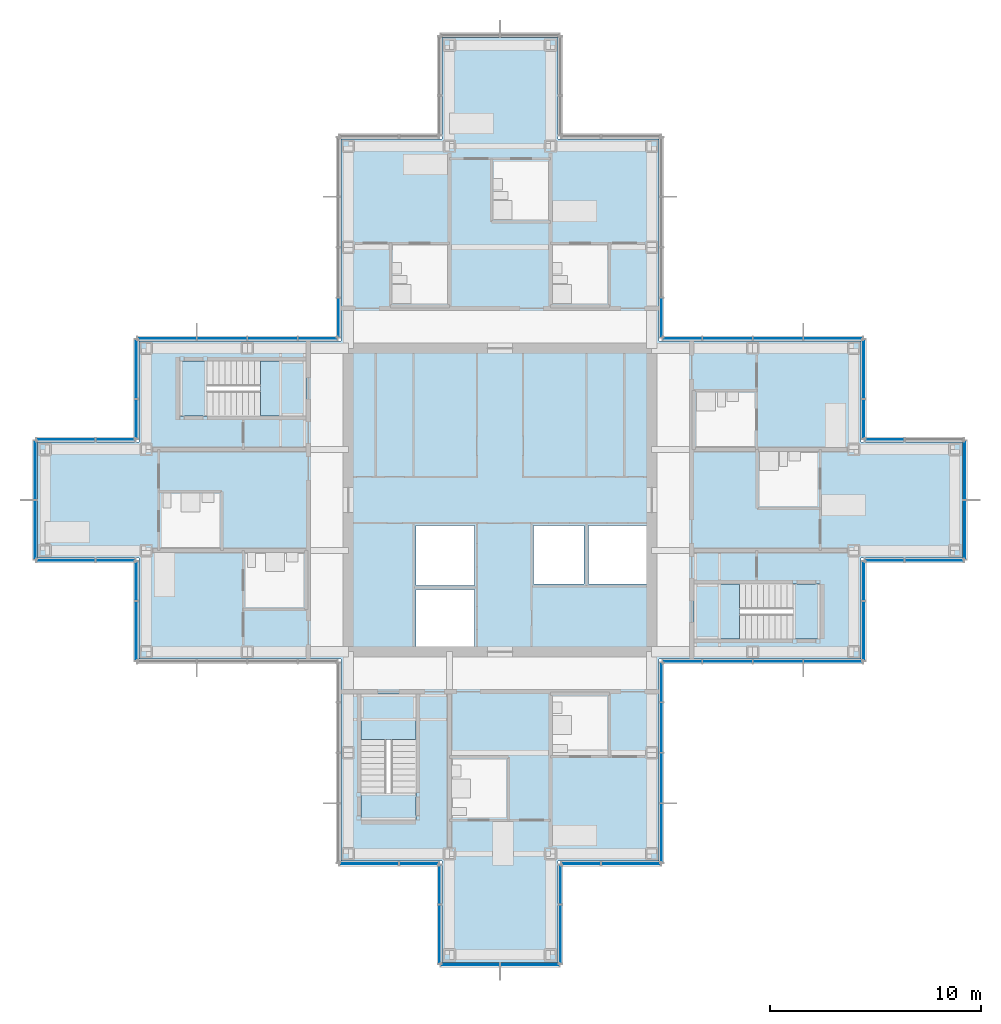
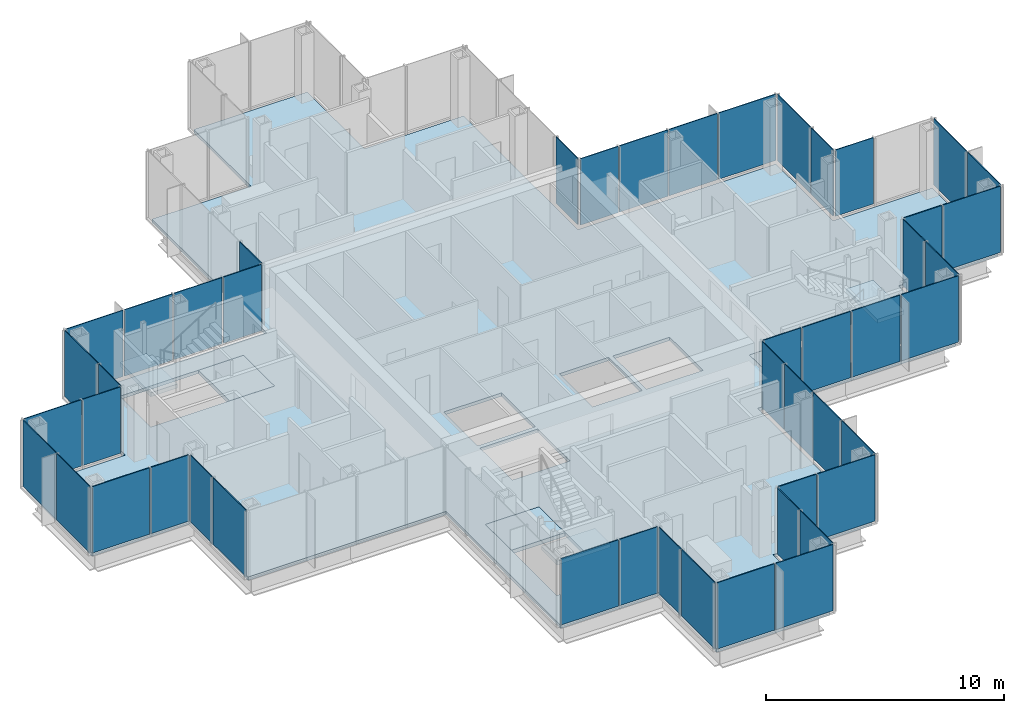
# One storey, part 10 of 17: 47 plates, 7 slabs, 24 elements without a shape of their own.
"""IFC4 building model written with IfcOpenShell, lengths in metres."""

import ifcopenshell
import ifcopenshell.guid

model = None  # the IFC model being written
_history = None  # IfcOwnerHistory: only IFC2X3 demands one
_inside = {}  # id of a spatial element -> (the spatial element, [elements in it])
_under = {}  # id of a project, library or spatial element -> (it, [spatial elements below it])
_declared = {}  # id of a project -> (the project, [libraries it declares])
_typed = {}  # id of a type object -> (the type object, [elements of that type])
_made_of = {}  # id of a material, layer set ... -> (it, [elements and type objects made of it])


def new_model(schema):
    """Start an empty IFC model of exactly this schema.

    Asked for "IFC4X3", IfcOpenShell would pick the latest addendum, in which some entities
    have other attributes; the version numbers below select the first issue.
    IFC2X3 requires an IfcOwnerHistory on every rooted entity: one is made here for all.
    """
    global model, _history
    if schema == "IFC4X3":
        model = ifcopenshell.file(schema_version=(4, 3, 0, 0))
    else:
        model = ifcopenshell.file(schema=schema)
    _inside.clear()
    _under.clear()
    _declared.clear()
    _typed.clear()
    _made_of.clear()
    _history = None
    if model.schema == "IFC2X3":
        org = make("IfcOrganization", Name="unknown")
        user = make(
            "IfcPersonAndOrganization",
            ThePerson=make("IfcPerson", FamilyName="unknown"),
            TheOrganization=org,
        )
        app = make(
            "IfcApplication",
            ApplicationDeveloper=org,
            Version="unknown",
            ApplicationFullName="unknown",
            ApplicationIdentifier="unknown",
        )
        _history = make(
            "IfcOwnerHistory",
            OwningUser=user,
            OwningApplication=app,
            ChangeAction="ADDED",
            CreationDate=0,
        )
    return model


def make(cls, **values):
    """One entity of the class cls with the attributes given. An attribute that is None is left unset."""
    return model.create_entity(
        cls, **{name: value for name, value in values.items() if value is not None}
    )


def rooted(cls, **values):
    """An entity with a GlobalId (a new one), such as an element, a storey or a relation."""
    return make(cls, GlobalId=ifcopenshell.guid.new(), OwnerHistory=_history, **values)


def si_unit(unit_type, name, prefix=None):
    """IfcSIUnit, for example si_unit("LENGTHUNIT", "METRE", prefix="MILLI")."""
    return make("IfcSIUnit", UnitType=unit_type, Prefix=prefix, Name=name)


def assignment(units):
    """IfcUnitAssignment: the units of a project."""
    return None if units is None else make("IfcUnitAssignment", Units=units)


def point(xyz):
    """IfcCartesianPoint."""
    return None if xyz is None else make("IfcCartesianPoint", Coordinates=xyz)


def direction(xyz):
    """IfcDirection."""
    return None if xyz is None else make("IfcDirection", DirectionRatios=xyz)


def frame(location, z_axis=None, x_axis=None):
    """IfcAxis2Placement3D, a coordinate frame: its origin and axes. An axis left out is left unset."""
    return make(
        "IfcAxis2Placement3D",
        Location=point(location),
        Axis=direction(z_axis),
        RefDirection=direction(x_axis),
    )


def frame_2d(location, x_axis=None):
    """IfcAxis2Placement2D, a coordinate frame in the plane: its origin and x axis."""
    return make(
        "IfcAxis2Placement2D", Location=point(location), RefDirection=direction(x_axis)
    )


def origin():
    """The frame at (0, 0, 0) with its axes left unset."""
    return frame((0.0, 0.0, 0.0))


def origin_2d():
    """The frame at (0, 0) in the plane with its x axis left unset."""
    return frame_2d((0.0, 0.0))


def place(relative_to, where):
    """IfcLocalPlacement: puts the frame where relative to a parent placement (None: the world)."""
    return make(
        "IfcLocalPlacement", PlacementRelTo=relative_to, RelativePlacement=where
    )


def context(
    kind, dimensions, precision=None, world=None, true_north=None, identifier=None
):
    """IfcGeometricRepresentationContext, for example the 3D "Model" context."""
    return make(
        "IfcGeometricRepresentationContext",
        ContextIdentifier=identifier,
        ContextType=kind,
        CoordinateSpaceDimension=dimensions,
        Precision=precision,
        WorldCoordinateSystem=world,
        TrueNorth=true_north,
    )


def subcontext(parent, identifier, kind, view, scale=None):
    """IfcGeometricRepresentationSubContext, for example "Body" below "Model"."""
    return make(
        "IfcGeometricRepresentationSubContext",
        ContextIdentifier=identifier,
        ContextType=kind,
        ParentContext=parent,
        TargetScale=scale,
        TargetView=view,
    )


def project(units=None, contexts=None):
    """IfcProject with its units and contexts."""
    return rooted(
        "IfcProject",
        Name="project",
        RepresentationContexts=contexts,
        UnitsInContext=assignment(units),
    )


def spatial(cls, under=None, at=None, **own):
    """A site, building, storey or space (cls), placed at a placement, below another one or the project."""
    s = rooted(cls, ObjectPlacement=at, **own)
    if under is not None:
        _under.setdefault(under.id(), (under, []))[1].append(s)
    return s


def polyline(points):
    """IfcPolyline through the points."""
    return make("IfcPolyline", Points=[point(p) for p in points])


def profile(cls, at=None, kind="AREA", **sizes):
    """A parametric profile (cls). Its sizes go by their IFC names, for example OverallWidth=200.0."""
    return make(cls, ProfileType=kind, Position=at, **sizes)


def rectangle(**sizes):
    """IfcRectangleProfileDef."""
    return profile("IfcRectangleProfileDef", **sizes)


def outline(outer, holes=None, kind="AREA"):
    """IfcArbitraryClosedProfileDef: a profile drawn as a closed curve; with holes, ...WithVoids."""
    if holes is None:
        return make("IfcArbitraryClosedProfileDef", ProfileType=kind, OuterCurve=outer)
    return make(
        "IfcArbitraryProfileDefWithVoids",
        ProfileType=kind,
        OuterCurve=outer,
        InnerCurves=holes,
    )


def extrude(swept, where, along, depth):
    """IfcExtrudedAreaSolid: the profile swept, set in the frame where, extruded along a direction by depth."""
    return make(
        "IfcExtrudedAreaSolid",
        SweptArea=swept,
        Position=where,
        ExtrudedDirection=direction(along),
        Depth=depth,
    )


def shape(context_of_items, identifier, shape_type, items):
    """IfcShapeRepresentation: the items that make up one representation, for example the "Body"."""
    return make(
        "IfcShapeRepresentation",
        ContextOfItems=context_of_items,
        RepresentationIdentifier=identifier,
        RepresentationType=shape_type,
        Items=items,
    )


def material(Name=None, Category=None):
    """IfcMaterial."""
    return make("IfcMaterial", Name=Name, Category=Category)


def layer(
    of_material, thickness, ventilated=None, Name=None, Category=None, Priority=None
):
    """IfcMaterialLayer: one layer of a wall or slab, of a material (None: an air gap)."""
    return make(
        "IfcMaterialLayer",
        Material=of_material,
        LayerThickness=thickness,
        IsVentilated=ventilated,
        Name=Name,
        Category=Category,
        Priority=Priority,
    )


def layer_set(layers, Name=None):
    """IfcMaterialLayerSet."""
    return make("IfcMaterialLayerSet", MaterialLayers=layers, LayerSetName=Name)


def made_of(thing, what):
    """Note that an element or type object is made of a material, layer set ...; save() writes the relation."""
    if what is not None:
        _made_of.setdefault(what.id(), (what, []))[1].append(thing)
    return thing


def type_object(cls, material=None, **own):
    """A type object (cls), such as IfcWallType, which elements share."""
    return made_of(rooted(cls, **own), material)


def element(
    cls,
    number,
    at=None,
    inside=None,
    cuts=None,
    type_object=None,
    material=None,
    context=None,
    identifier="Body",
    shape_type=None,
    held_by="IfcProductDefinitionShape",
    body=None,
    shapes=None,
    **own,
):
    """One element of the class cls, such as IfcWall. Its Tag is "e" and its number.

    at: its placement. inside: the storey or other place that contains it. cuts: it is an
    opening in that element (IfcRelVoidsElement). A single representation is given by context,
    identifier, shape_type and body (its items); several are given by shapes. held_by: the class
    of the entity that holds the representations. save() writes the other relations.
    """
    e = rooted(cls, Tag="e%d" % number, ObjectPlacement=at, **own)
    if body is not None:
        shapes = [shape(context, identifier, shape_type, body)]
    if shapes is not None:
        e.Representation = make(held_by, Representations=shapes)
    if inside is not None:
        _inside.setdefault(inside.id(), (inside, []))[1].append(e)
    if cuts is not None:
        rooted(
            "IfcRelVoidsElement", RelatingBuildingElement=cuts, RelatedOpeningElement=e
        )
    if type_object is not None:
        _typed.setdefault(type_object.id(), (type_object, []))[1].append(e)
    return made_of(e, material)


def aggregate(whole, parts):
    """IfcRelAggregates: a whole, such as a stair, and the parts it consists of."""
    return rooted("IfcRelAggregates", RelatingObject=whole, RelatedObjects=parts)


def save(model, path):
    """Write the relations noted so far, then the file.

    IfcRelAggregates (storeys below a building ...), IfcRelContainedInSpatialStructure (elements
    in a storey), IfcRelDefinesByType, IfcRelAssociatesMaterial and IfcRelDeclares: one each for
    every whole, place, type object, material and project.
    """
    for whole, parts in _under.values():
        aggregate(whole, parts)
    for where, things in _inside.values():
        rooted(
            "IfcRelContainedInSpatialStructure",
            RelatedElements=things,
            RelatingStructure=where,
        )
    for kind, things in _typed.values():
        rooted("IfcRelDefinesByType", RelatedObjects=things, RelatingType=kind)
    for what, things in _made_of.values():
        rooted("IfcRelAssociatesMaterial", RelatedObjects=things, RelatingMaterial=what)
    for by, libraries in _declared.values():
        rooted("IfcRelDeclares", RelatingContext=by, RelatedDefinitions=libraries)
    model.write(path)


model = new_model("IFC4")

# Units and contexts
model_context = context("Model", 3, precision=1e-05, world=origin(), true_north=direction((0.0, 1.0)))
body_context = subcontext(model_context, "Body", "Model", "MODEL_VIEW")
ifc_project = project(units=[si_unit("LENGTHUNIT", "METRE"), si_unit("AREAUNIT", "SQUARE_METRE"), si_unit("VOLUMEUNIT", "CUBIC_METRE"), si_unit("PLANEANGLEUNIT", "RADIAN"), si_unit("MASSUNIT", "GRAM", prefix="KILO")], contexts=[model_context])

# Site, building, storey
site_placement = place(None, origin())
site = spatial("IfcSite", under=ifc_project, at=site_placement, CompositionType="ELEMENT")
building_placement = place(site_placement, origin())
building = spatial("IfcBuilding", under=site, at=building_placement, Name="Kvirike Care Tower", CompositionType="ELEMENT")
storey_placement = place(building_placement, frame((0.0, 0.0, 176.0)))
storey = spatial("IfcBuildingStorey", under=building, at=storey_placement, Name="L48", CompositionType="ELEMENT", Elevation=176.0)

# Slab
ifc_material_1 = material(Name="Concrete C35/45", Category="concrete")
ifc_layer_1 = layer(ifc_material_1, 0.169921875)
ifc_layer_set_1 = layer_set([ifc_layer_1], Name="FLOOR SLAB 170")
slab_type_1 = type_object("IfcSlabType", Name="FLOOR SLAB 170", PredefinedType="FLOOR", material=ifc_layer_set_1)
slab_1_placement = place(storey_placement, frame((0.0, 0.0, -0.169921875)))
element("IfcSlab", 1, at=slab_1_placement, inside=storey, type_object=slab_type_1, Name="Floor slab L48", PredefinedType="FLOOR", context=body_context, shape_type="SweptSolid", body=[
    extrude(outline(polyline([(29.14990234375, 28.449951171875), (38.75, 28.449951171875), (38.75, 33.25), (43.550048828125, 33.25), (43.550048828125, 38.75), (38.75, 38.75), (38.75, 43.550048828125), (29.14990234375, 43.550048828125), (29.14990234375, 53.14990234375), (24.35009765625, 53.14990234375), (24.35009765625, 57.949951171875), (18.85009765625, 57.949951171875), (18.85009765625, 53.14990234375), (14.050048828125, 53.14990234375), (14.050048828125, 43.550048828125), (4.449951171875, 43.550048828125), (4.449951171875, 38.75), (-0.35009765625, 38.75), (-0.35009765625, 33.25), (4.449951171875, 33.25), (4.449951171875, 28.449951171875), (14.050048828125, 28.449951171875), (14.050048828125, 18.85009765625), (18.85009765625, 18.85009765625), (18.85009765625, 14.050048828125), (24.35009765625, 14.050048828125), (24.35009765625, 18.85009765625), (29.14990234375, 18.85009765625), (29.14990234375, 28.449951171875)]), holes=[polyline([(17.60009765625, 29.050048828125), (17.60009765625, 31.75), (20.39990234375, 31.75), (20.39990234375, 29.050048828125), (17.60009765625, 29.050048828125)]), polyline([(17.60009765625, 31.949951171875), (17.60009765625, 34.800048828125), (20.39990234375, 34.800048828125), (20.39990234375, 31.949951171875), (17.60009765625, 31.949951171875)]), polyline([(23.199951171875, 32.0), (23.199951171875, 34.800048828125), (25.60009765625, 34.800048828125), (25.60009765625, 32.0), (23.199951171875, 32.0)]), polyline([(25.800048828125, 32.0), (25.800048828125, 34.800048828125), (28.550048828125, 34.800048828125), (28.550048828125, 32.0), (25.800048828125, 32.0)]), polyline([(12.39990234375, 42.60009765625), (12.39990234375, 40.0), (6.39990234375, 40.0), (6.39990234375, 42.60009765625), (12.39990234375, 42.60009765625)]), polyline([(30.800048828125, 29.39990234375), (30.800048828125, 32.0), (36.800048828125, 32.0), (36.800048828125, 29.39990234375), (30.800048828125, 29.39990234375)]), polyline([(15.0, 26.800048828125), (17.60009765625, 26.800048828125), (17.60009765625, 20.800048828125), (15.0, 20.800048828125), (15.0, 26.800048828125)])]), origin(), (0.0, 0.0, 1.0), 0.169921875),
])

# Stair, slabs
ifc_material_2 = material(Name="Concrete C35/45", Category="concrete")
stair_type = type_object("IfcStairType", Name="STAIR 20 RISERS", PredefinedType="HALF_TURN_STAIR", material=ifc_material_2)
stair_1_placement = place(storey_placement, origin())
stair_1 = element("IfcStair", 2, at=stair_1_placement, inside=storey, type_object=stair_type, Name="Stair 1 L48", PredefinedType="HALF_TURN_STAIR")
ifc_material_3 = material(Name="Concrete C35/45", Category="concrete")
ifc_layer_2 = layer(ifc_material_3, 0.199951171875)
ifc_layer_set_2 = layer_set([ifc_layer_2], Name="STAIR LANDING 200")
slab_type_2 = type_object("IfcSlabType", Name="STAIR LANDING 200", PredefinedType="LANDING", material=ifc_layer_set_2)
slab_2_placement = place(storey_placement, frame((0.0, 0.0, -0.199951171875)))
slab_2 = element("IfcSlab", 3, at=slab_2_placement, type_object=slab_type_2, Name="Stair S1 floor landing L48", PredefinedType="LANDING", context=body_context, shape_type="SweptSolid", body=[
    extrude(outline(polyline([(10.219970703125, 42.60009765625), (10.219970703125, 40.0), (12.39990234375, 40.0), (12.39990234375, 42.60009765625), (10.219970703125, 42.60009765625)])), origin(), (0.0, 0.0, 1.0), 0.199951171875),
])
slab_3_placement = place(storey_placement, frame((0.0, 0.0, 1.550048828125)))
slab_3 = element("IfcSlab", 4, at=slab_3_placement, type_object=slab_type_2, Name="Stair S1 half landing L48-L49", PredefinedType="LANDING", context=body_context, shape_type="SweptSolid", body=[
    extrude(outline(polyline([(6.39990234375, 42.60009765625), (6.39990234375, 40.0), (7.699951171875, 40.0), (7.699951171875, 42.60009765625), (6.39990234375, 42.60009765625)])), origin(), (0.0, 0.0, 1.0), 0.199951171875),
])
aggregate(stair_1, [slab_2, slab_3])

stair_2_placement = place(storey_placement, origin())
stair_2 = element("IfcStair", 5, at=stair_2_placement, inside=storey, type_object=stair_type, Name="Stair 2 L48", PredefinedType="HALF_TURN_STAIR")
slab_4_placement = place(storey_placement, frame((0.0, 0.0, -0.199951171875)))
slab_4 = element("IfcSlab", 6, at=slab_4_placement, type_object=slab_type_2, Name="Stair S2 floor landing L48", PredefinedType="LANDING", context=body_context, shape_type="SweptSolid", body=[
    extrude(outline(polyline([(32.97998046875, 29.39990234375), (32.97998046875, 32.0), (30.800048828125, 32.0), (30.800048828125, 29.39990234375), (32.97998046875, 29.39990234375)])), origin(), (0.0, 0.0, 1.0), 0.199951171875),
])
slab_5_placement = place(storey_placement, frame((0.0, 0.0, 1.550048828125)))
slab_5 = element("IfcSlab", 7, at=slab_5_placement, type_object=slab_type_2, Name="Stair S2 half landing L48-L49", PredefinedType="LANDING", context=body_context, shape_type="SweptSolid", body=[
    extrude(outline(polyline([(36.800048828125, 29.39990234375), (36.800048828125, 32.0), (35.5, 32.0), (35.5, 29.39990234375), (36.800048828125, 29.39990234375)])), origin(), (0.0, 0.0, 1.0), 0.199951171875),
])
aggregate(stair_2, [slab_4, slab_5])

stair_3_placement = place(storey_placement, origin())
stair_3 = element("IfcStair", 8, at=stair_3_placement, inside=storey, type_object=stair_type, Name="Stair 5 L48", PredefinedType="HALF_TURN_STAIR")
slab_6_placement = place(storey_placement, frame((0.0, 0.0, -0.199951171875)))
slab_6 = element("IfcSlab", 9, at=slab_6_placement, type_object=slab_type_2, Name="Stair S5 floor landing L48", PredefinedType="LANDING", context=body_context, shape_type="SweptSolid", body=[
    extrude(outline(polyline([(15.0, 24.6201171875), (17.60009765625, 24.6201171875), (17.60009765625, 26.800048828125), (15.0, 26.800048828125), (15.0, 24.6201171875)])), origin(), (0.0, 0.0, 1.0), 0.199951171875),
])
slab_7_placement = place(storey_placement, frame((0.0, 0.0, 1.550048828125)))
slab_7 = element("IfcSlab", 10, at=slab_7_placement, type_object=slab_type_2, Name="Stair S5 half landing L48-L49", PredefinedType="LANDING", context=body_context, shape_type="SweptSolid", body=[
    extrude(outline(polyline([(15.0, 20.800048828125), (17.60009765625, 20.800048828125), (17.60009765625, 22.10009765625), (15.0, 22.10009765625), (15.0, 20.800048828125)])), origin(), (0.0, 0.0, 1.0), 0.199951171875),
])
aggregate(stair_3, [slab_6, slab_7])

# Curtain wall, plates
ifc_material_4 = material(Name="Anodised aluminium stick system", Category="aluminium")
curtain_wall_type = type_object("IfcCurtainWallType", Name="CW-C STICK CURTAIN WALL", PredefinedType="NOTDEFINED", material=ifc_material_4)
curtain_wall_1_placement = place(storey_placement, origin())
curtain_wall_1 = element("IfcCurtainWall", 11, at=curtain_wall_1_placement, inside=storey, type_object=curtain_wall_type, Name="Curtain wall L48 face 1", PredefinedType="NOTDEFINED")
ifc_material_5 = material(Name="Tinted double glazed unit", Category="glass")
ifc_layer_3 = layer(ifc_material_5, 0.0400390625)
ifc_layer_set_3 = layer_set([ifc_layer_3], Name="TINTED VISION PANEL 40")
plate_type = type_object("IfcPlateType", Name="TINTED VISION PANEL 40", PredefinedType="CURTAIN_PANEL", material=ifc_layer_set_3)
plate_1_placement = place(storey_placement, frame((30.251220703125, 28.330078125, 0.10009765625), z_axis=(0.0, 0.0, 1.0), x_axis=(1.0, 0.0, 0.0)))
plate_1 = element("IfcPlate", 12, at=plate_1_placement, type_object=plate_type, Name="CW-C panel L48 face 1.1", PredefinedType="CURTAIN_PANEL", context=body_context, shape_type="SweptSolid", body=[
    extrude(rectangle(XDim=1.83251953125, YDim=0.0400390625, at=origin_2d()), origin(), (0.0, 0.0, 1.0), 3.39990234375),
])
plate_2_placement = place(storey_placement, frame((32.39990234375, 28.330078125, 0.10009765625), z_axis=(0.0, 0.0, 1.0), x_axis=(1.0, 0.0, 0.0)))
plate_2 = element("IfcPlate", 13, at=plate_2_placement, type_object=plate_type, Name="CW-C panel L48 face 1.2", PredefinedType="CURTAIN_PANEL", context=body_context, shape_type="SweptSolid", body=[
    extrude(rectangle(XDim=2.3349609375, YDim=0.0400390625, at=origin_2d()), origin(), (0.0, 0.0, 1.0), 3.39990234375),
])
plate_3_placement = place(storey_placement, frame((34.800048828125, 28.330078125, 0.10009765625), z_axis=(0.0, 0.0, 1.0), x_axis=(1.0, 0.0, 0.0)))
plate_3 = element("IfcPlate", 14, at=plate_3_placement, type_object=plate_type, Name="CW-C panel L48 face 1.3", PredefinedType="CURTAIN_PANEL", context=body_context, shape_type="SweptSolid", body=[
    extrude(rectangle(XDim=2.3349609375, YDim=0.0400390625, at=origin_2d()), origin(), (0.0, 0.0, 1.0), 3.39990234375),
])
plate_4_placement = place(storey_placement, frame((37.418701171875, 28.330078125, 0.10009765625), z_axis=(0.0, 0.0, 1.0), x_axis=(1.0, 0.0, 0.0)))
plate_4 = element("IfcPlate", 15, at=plate_4_placement, type_object=plate_type, Name="CW-C panel L48 face 1.4", PredefinedType="CURTAIN_PANEL", context=body_context, shape_type="SweptSolid", body=[
    extrude(rectangle(XDim=2.7724609375, YDim=0.0400390625, at=origin_2d()), origin(), (0.0, 0.0, 1.0), 3.39990234375),
])
aggregate(curtain_wall_1, [plate_1, plate_2, plate_3, plate_4])

curtain_wall_2_placement = place(storey_placement, origin())
curtain_wall_2 = element("IfcCurtainWall", 16, at=curtain_wall_2_placement, inside=storey, type_object=curtain_wall_type, Name="Curtain wall L48 face 2", PredefinedType="NOTDEFINED")
plate_5_placement = place(storey_placement, frame((38.8701171875, 29.78125, 0.10009765625), z_axis=(0.0, 0.0, 1.0), x_axis=(0.0, 1.0, 0.0)))
plate_5 = element("IfcPlate", 17, at=plate_5_placement, type_object=plate_type, Name="CW-C panel L48 face 2.1", PredefinedType="CURTAIN_PANEL", context=body_context, shape_type="SweptSolid", body=[
    extrude(rectangle(XDim=2.7724609375, YDim=0.0400390625, at=origin_2d()), origin(), (0.0, 0.0, 1.0), 3.39990234375),
])
plate_6_placement = place(storey_placement, frame((38.8701171875, 32.148681640625, 0.10009765625), z_axis=(0.0, 0.0, 1.0), x_axis=(0.0, 1.0, 0.0)))
plate_6 = element("IfcPlate", 18, at=plate_6_placement, type_object=plate_type, Name="CW-C panel L48 face 2.2", PredefinedType="CURTAIN_PANEL", context=body_context, shape_type="SweptSolid", body=[
    extrude(rectangle(XDim=1.83251953125, YDim=0.0400390625, at=origin_2d()), origin(), (0.0, 0.0, 1.0), 3.39990234375),
])
aggregate(curtain_wall_2, [plate_5, plate_6])

curtain_wall_3_placement = place(storey_placement, origin())
curtain_wall_3 = element("IfcCurtainWall", 19, at=curtain_wall_3_placement, inside=storey, type_object=curtain_wall_type, Name="Curtain wall L48 face 3", PredefinedType="NOTDEFINED")
plate_7_placement = place(storey_placement, frame((39.851318359375, 33.1298828125, 0.10009765625), z_axis=(0.0, 0.0, 1.0), x_axis=(1.0, 0.0, 0.0)))
plate_7 = element("IfcPlate", 20, at=plate_7_placement, type_object=plate_type, Name="CW-C panel L48 face 3.1", PredefinedType="CURTAIN_PANEL", context=body_context, shape_type="SweptSolid", body=[
    extrude(rectangle(XDim=1.83251953125, YDim=0.0400390625, at=origin_2d()), origin(), (0.0, 0.0, 1.0), 3.39990234375),
])
plate_8_placement = place(storey_placement, frame((42.21875, 33.1298828125, 0.10009765625), z_axis=(0.0, 0.0, 1.0), x_axis=(1.0, 0.0, 0.0)))
plate_8 = element("IfcPlate", 21, at=plate_8_placement, type_object=plate_type, Name="CW-C panel L48 face 3.2", PredefinedType="CURTAIN_PANEL", context=body_context, shape_type="SweptSolid", body=[
    extrude(rectangle(XDim=2.7724609375, YDim=0.0400390625, at=origin_2d()), origin(), (0.0, 0.0, 1.0), 3.39990234375),
])
aggregate(curtain_wall_3, [plate_7, plate_8])

curtain_wall_4_placement = place(storey_placement, origin())
curtain_wall_4 = element("IfcCurtainWall", 22, at=curtain_wall_4_placement, inside=storey, type_object=curtain_wall_type, Name="Curtain wall L48 face 4", PredefinedType="NOTDEFINED")
plate_9_placement = place(storey_placement, frame((43.669921875, 34.581298828125, 0.10009765625), z_axis=(0.0, 0.0, 1.0), x_axis=(0.0, 1.0, 0.0)))
plate_9 = element("IfcPlate", 23, at=plate_9_placement, type_object=plate_type, Name="CW-C panel L48 face 4.1", PredefinedType="CURTAIN_PANEL", context=body_context, shape_type="SweptSolid", body=[
    extrude(rectangle(XDim=2.7724609375, YDim=0.0400390625, at=origin_2d()), origin(), (0.0, 0.0, 1.0), 3.39990234375),
])
plate_10_placement = place(storey_placement, frame((43.669921875, 37.418701171875, 0.10009765625), z_axis=(0.0, 0.0, 1.0), x_axis=(0.0, 1.0, 0.0)))
plate_10 = element("IfcPlate", 24, at=plate_10_placement, type_object=plate_type, Name="CW-C panel L48 face 4.2", PredefinedType="CURTAIN_PANEL", context=body_context, shape_type="SweptSolid", body=[
    extrude(rectangle(XDim=2.7724609375, YDim=0.0400390625, at=origin_2d()), origin(), (0.0, 0.0, 1.0), 3.39990234375),
])
aggregate(curtain_wall_4, [plate_9, plate_10])

# Curtain wall, plate
curtain_wall_5_placement = place(storey_placement, origin())
curtain_wall_5 = element("IfcCurtainWall", 25, at=curtain_wall_5_placement, inside=storey, type_object=curtain_wall_type, Name="Curtain wall L48 face 5", PredefinedType="NOTDEFINED")
plate_11_placement = place(storey_placement, frame((39.851318359375, 38.8701171875, 0.10009765625), z_axis=(0.0, 0.0, 1.0), x_axis=(-1.0, 0.0, 0.0)))
plate_11 = element("IfcPlate", 26, at=plate_11_placement, type_object=plate_type, Name="CW-C panel L48 face 5.2", PredefinedType="CURTAIN_PANEL", context=body_context, shape_type="SweptSolid", body=[
    extrude(rectangle(XDim=1.83251953125, YDim=0.0400390625, at=origin_2d()), origin(), (0.0, 0.0, 1.0), 3.39990234375),
])
aggregate(curtain_wall_5, [plate_11])

# Curtain wall, plates
curtain_wall_6_placement = place(storey_placement, origin())
curtain_wall_6 = element("IfcCurtainWall", 27, at=curtain_wall_6_placement, inside=storey, type_object=curtain_wall_type, Name="Curtain wall L48 face 6", PredefinedType="NOTDEFINED")
plate_12_placement = place(storey_placement, frame((38.8701171875, 39.851318359375, 0.10009765625), z_axis=(0.0, 0.0, 1.0), x_axis=(0.0, 1.0, 0.0)))
plate_12 = element("IfcPlate", 28, at=plate_12_placement, type_object=plate_type, Name="CW-C panel L48 face 6.1", PredefinedType="CURTAIN_PANEL", context=body_context, shape_type="SweptSolid", body=[
    extrude(rectangle(XDim=1.83251953125, YDim=0.0400390625, at=origin_2d()), origin(), (0.0, 0.0, 1.0), 3.39990234375),
])
plate_13_placement = place(storey_placement, frame((38.8701171875, 42.21875, 0.10009765625), z_axis=(0.0, 0.0, 1.0), x_axis=(0.0, 1.0, 0.0)))
plate_13 = element("IfcPlate", 29, at=plate_13_placement, type_object=plate_type, Name="CW-C panel L48 face 6.2", PredefinedType="CURTAIN_PANEL", context=body_context, shape_type="SweptSolid", body=[
    extrude(rectangle(XDim=2.7724609375, YDim=0.0400390625, at=origin_2d()), origin(), (0.0, 0.0, 1.0), 3.39990234375),
])
aggregate(curtain_wall_6, [plate_12, plate_13])

curtain_wall_7_placement = place(storey_placement, origin())
curtain_wall_7 = element("IfcCurtainWall", 30, at=curtain_wall_7_placement, inside=storey, type_object=curtain_wall_type, Name="Curtain wall L48 face 7", PredefinedType="NOTDEFINED")
plate_14_placement = place(storey_placement, frame((37.418701171875, 43.669921875, 0.10009765625), z_axis=(0.0, 0.0, 1.0), x_axis=(-1.0, 0.0, 0.0)))
plate_14 = element("IfcPlate", 31, at=plate_14_placement, type_object=plate_type, Name="CW-C panel L48 face 7.1", PredefinedType="CURTAIN_PANEL", context=body_context, shape_type="SweptSolid", body=[
    extrude(rectangle(XDim=2.7724609375, YDim=0.0400390625, at=origin_2d()), origin(), (0.0, 0.0, 1.0), 3.39990234375),
])
plate_15_placement = place(storey_placement, frame((34.800048828125, 43.669921875, 0.10009765625), z_axis=(0.0, 0.0, 1.0), x_axis=(-1.0, 0.0, 0.0)))
plate_15 = element("IfcPlate", 32, at=plate_15_placement, type_object=plate_type, Name="CW-C panel L48 face 7.2", PredefinedType="CURTAIN_PANEL", context=body_context, shape_type="SweptSolid", body=[
    extrude(rectangle(XDim=2.3349609375, YDim=0.0400390625, at=origin_2d()), origin(), (0.0, 0.0, 1.0), 3.39990234375),
])
plate_16_placement = place(storey_placement, frame((32.39990234375, 43.669921875, 0.10009765625), z_axis=(0.0, 0.0, 1.0), x_axis=(-1.0, 0.0, 0.0)))
plate_16 = element("IfcPlate", 33, at=plate_16_placement, type_object=plate_type, Name="CW-C panel L48 face 7.3", PredefinedType="CURTAIN_PANEL", context=body_context, shape_type="SweptSolid", body=[
    extrude(rectangle(XDim=2.3349609375, YDim=0.0400390625, at=origin_2d()), origin(), (0.0, 0.0, 1.0), 3.39990234375),
])
plate_17_placement = place(storey_placement, frame((30.251220703125, 43.669921875, 0.10009765625), z_axis=(0.0, 0.0, 1.0), x_axis=(-1.0, 0.0, 0.0)))
plate_17 = element("IfcPlate", 34, at=plate_17_placement, type_object=plate_type, Name="CW-C panel L48 face 7.4", PredefinedType="CURTAIN_PANEL", context=body_context, shape_type="SweptSolid", body=[
    extrude(rectangle(XDim=1.83251953125, YDim=0.0400390625, at=origin_2d()), origin(), (0.0, 0.0, 1.0), 3.39990234375),
])
aggregate(curtain_wall_7, [plate_14, plate_15, plate_16, plate_17])

# Curtain wall, plate
curtain_wall_8_placement = place(storey_placement, origin())
curtain_wall_8 = element("IfcCurtainWall", 35, at=curtain_wall_8_placement, inside=storey, type_object=curtain_wall_type, Name="Curtain wall L48 face 8", PredefinedType="NOTDEFINED")
plate_18_placement = place(storey_placement, frame((29.27001953125, 44.6513671875, 0.10009765625), z_axis=(0.0, 0.0, 1.0), x_axis=(0.0, 1.0, 0.0)))
plate_18 = element("IfcPlate", 36, at=plate_18_placement, type_object=plate_type, Name="CW-C panel L48 face 8.1", PredefinedType="CURTAIN_PANEL", context=body_context, shape_type="SweptSolid", body=[
    extrude(rectangle(XDim=1.83251953125, YDim=0.0400390625, at=origin_2d()), origin(), (0.0, 0.0, 1.0), 3.39990234375),
])
aggregate(curtain_wall_8, [plate_18])

curtain_wall_9_placement = place(storey_placement, origin())
curtain_wall_9 = element("IfcCurtainWall", 37, at=curtain_wall_9_placement, inside=storey, type_object=curtain_wall_type, Name="Curtain wall L48 face 14", PredefinedType="NOTDEFINED")
plate_19_placement = place(storey_placement, frame((13.929931640625, 44.6513671875, 0.10009765625), z_axis=(0.0, 0.0, 1.0), x_axis=(0.0, -1.0, 0.0)))
plate_19 = element("IfcPlate", 38, at=plate_19_placement, type_object=plate_type, Name="CW-C panel L48 face 14.4", PredefinedType="CURTAIN_PANEL", context=body_context, shape_type="SweptSolid", body=[
    extrude(rectangle(XDim=1.83251953125, YDim=0.0400390625, at=origin_2d()), origin(), (0.0, 0.0, 1.0), 3.39990234375),
])
aggregate(curtain_wall_9, [plate_19])

# Curtain wall, plates
curtain_wall_10_placement = place(storey_placement, origin())
curtain_wall_10 = element("IfcCurtainWall", 39, at=curtain_wall_10_placement, inside=storey, type_object=curtain_wall_type, Name="Curtain wall L48 face 15", PredefinedType="NOTDEFINED")
plate_20_placement = place(storey_placement, frame((12.94873046875, 43.669921875, 0.10009765625), z_axis=(0.0, 0.0, 1.0), x_axis=(-1.0, 0.0, 0.0)))
plate_20 = element("IfcPlate", 40, at=plate_20_placement, type_object=plate_type, Name="CW-C panel L48 face 15.1", PredefinedType="CURTAIN_PANEL", context=body_context, shape_type="SweptSolid", body=[
    extrude(rectangle(XDim=1.83251953125, YDim=0.0400390625, at=origin_2d()), origin(), (0.0, 0.0, 1.0), 3.39990234375),
])
plate_21_placement = place(storey_placement, frame((10.800048828125, 43.669921875, 0.10009765625), z_axis=(0.0, 0.0, 1.0), x_axis=(-1.0, 0.0, 0.0)))
plate_21 = element("IfcPlate", 41, at=plate_21_placement, type_object=plate_type, Name="CW-C panel L48 face 15.2", PredefinedType="CURTAIN_PANEL", context=body_context, shape_type="SweptSolid", body=[
    extrude(rectangle(XDim=2.3349609375, YDim=0.0400390625, at=origin_2d()), origin(), (0.0, 0.0, 1.0), 3.39990234375),
])
plate_22_placement = place(storey_placement, frame((8.39990234375, 43.669921875, 0.10009765625), z_axis=(0.0, 0.0, 1.0), x_axis=(-1.0, 0.0, 0.0)))
plate_22 = element("IfcPlate", 42, at=plate_22_placement, type_object=plate_type, Name="CW-C panel L48 face 15.3", PredefinedType="CURTAIN_PANEL", context=body_context, shape_type="SweptSolid", body=[
    extrude(rectangle(XDim=2.3349609375, YDim=0.0400390625, at=origin_2d()), origin(), (0.0, 0.0, 1.0), 3.39990234375),
])
plate_23_placement = place(storey_placement, frame((5.78125, 43.669921875, 0.10009765625), z_axis=(0.0, 0.0, 1.0), x_axis=(-1.0, 0.0, 0.0)))
plate_23 = element("IfcPlate", 43, at=plate_23_placement, type_object=plate_type, Name="CW-C panel L48 face 15.4", PredefinedType="CURTAIN_PANEL", context=body_context, shape_type="SweptSolid", body=[
    extrude(rectangle(XDim=2.7724609375, YDim=0.0400390625, at=origin_2d()), origin(), (0.0, 0.0, 1.0), 3.39990234375),
])
aggregate(curtain_wall_10, [plate_20, plate_21, plate_22, plate_23])

curtain_wall_11_placement = place(storey_placement, origin())
curtain_wall_11 = element("IfcCurtainWall", 44, at=curtain_wall_11_placement, inside=storey, type_object=curtain_wall_type, Name="Curtain wall L48 face 16", PredefinedType="NOTDEFINED")
plate_24_placement = place(storey_placement, frame((4.330078125, 42.21875, 0.10009765625), z_axis=(0.0, 0.0, 1.0), x_axis=(0.0, -1.0, 0.0)))
plate_24 = element("IfcPlate", 45, at=plate_24_placement, type_object=plate_type, Name="CW-C panel L48 face 16.1", PredefinedType="CURTAIN_PANEL", context=body_context, shape_type="SweptSolid", body=[
    extrude(rectangle(XDim=2.7724609375, YDim=0.0400390625, at=origin_2d()), origin(), (0.0, 0.0, 1.0), 3.39990234375),
])
plate_25_placement = place(storey_placement, frame((4.330078125, 39.851318359375, 0.10009765625), z_axis=(0.0, 0.0, 1.0), x_axis=(0.0, -1.0, 0.0)))
plate_25 = element("IfcPlate", 46, at=plate_25_placement, type_object=plate_type, Name="CW-C panel L48 face 16.2", PredefinedType="CURTAIN_PANEL", context=body_context, shape_type="SweptSolid", body=[
    extrude(rectangle(XDim=1.83251953125, YDim=0.0400390625, at=origin_2d()), origin(), (0.0, 0.0, 1.0), 3.39990234375),
])
aggregate(curtain_wall_11, [plate_24, plate_25])

curtain_wall_12_placement = place(storey_placement, origin())
curtain_wall_12 = element("IfcCurtainWall", 47, at=curtain_wall_12_placement, inside=storey, type_object=curtain_wall_type, Name="Curtain wall L48 face 17", PredefinedType="NOTDEFINED")
plate_26_placement = place(storey_placement, frame((3.3486328125, 38.8701171875, 0.10009765625), z_axis=(0.0, 0.0, 1.0), x_axis=(-1.0, 0.0, 0.0)))
plate_26 = element("IfcPlate", 48, at=plate_26_placement, type_object=plate_type, Name="CW-C panel L48 face 17.1", PredefinedType="CURTAIN_PANEL", context=body_context, shape_type="SweptSolid", body=[
    extrude(rectangle(XDim=1.83251953125, YDim=0.0400390625, at=origin_2d()), origin(), (0.0, 0.0, 1.0), 3.39990234375),
])
plate_27_placement = place(storey_placement, frame((0.981201171875, 38.8701171875, 0.10009765625), z_axis=(0.0, 0.0, 1.0), x_axis=(-1.0, 0.0, 0.0)))
plate_27 = element("IfcPlate", 49, at=plate_27_placement, type_object=plate_type, Name="CW-C panel L48 face 17.2", PredefinedType="CURTAIN_PANEL", context=body_context, shape_type="SweptSolid", body=[
    extrude(rectangle(XDim=2.7724609375, YDim=0.0400390625, at=origin_2d()), origin(), (0.0, 0.0, 1.0), 3.39990234375),
])
aggregate(curtain_wall_12, [plate_26, plate_27])

curtain_wall_13_placement = place(storey_placement, origin())
curtain_wall_13 = element("IfcCurtainWall", 50, at=curtain_wall_13_placement, inside=storey, type_object=curtain_wall_type, Name="Curtain wall L48 face 18", PredefinedType="NOTDEFINED")
plate_28_placement = place(storey_placement, frame((-0.469970703125, 37.418701171875, 0.10009765625), z_axis=(0.0, 0.0, 1.0), x_axis=(0.0, -1.0, 0.0)))
plate_28 = element("IfcPlate", 51, at=plate_28_placement, type_object=plate_type, Name="CW-C panel L48 face 18.1", PredefinedType="CURTAIN_PANEL", context=body_context, shape_type="SweptSolid", body=[
    extrude(rectangle(XDim=2.7724609375, YDim=0.0400390625, at=origin_2d()), origin(), (0.0, 0.0, 1.0), 3.39990234375),
])
plate_29_placement = place(storey_placement, frame((-0.469970703125, 34.581298828125, 0.10009765625), z_axis=(0.0, 0.0, 1.0), x_axis=(0.0, -1.0, 0.0)))
plate_29 = element("IfcPlate", 52, at=plate_29_placement, type_object=plate_type, Name="CW-C panel L48 face 18.2", PredefinedType="CURTAIN_PANEL", context=body_context, shape_type="SweptSolid", body=[
    extrude(rectangle(XDim=2.7724609375, YDim=0.0400390625, at=origin_2d()), origin(), (0.0, 0.0, 1.0), 3.39990234375),
])
aggregate(curtain_wall_13, [plate_28, plate_29])

curtain_wall_14_placement = place(storey_placement, origin())
curtain_wall_14 = element("IfcCurtainWall", 53, at=curtain_wall_14_placement, inside=storey, type_object=curtain_wall_type, Name="Curtain wall L48 face 19", PredefinedType="NOTDEFINED")
plate_30_placement = place(storey_placement, frame((0.981201171875, 33.1298828125, 0.10009765625), z_axis=(0.0, 0.0, 1.0), x_axis=(1.0, 0.0, 0.0)))
plate_30 = element("IfcPlate", 54, at=plate_30_placement, type_object=plate_type, Name="CW-C panel L48 face 19.1", PredefinedType="CURTAIN_PANEL", context=body_context, shape_type="SweptSolid", body=[
    extrude(rectangle(XDim=2.7724609375, YDim=0.0400390625, at=origin_2d()), origin(), (0.0, 0.0, 1.0), 3.39990234375),
])
plate_31_placement = place(storey_placement, frame((3.3486328125, 33.1298828125, 0.10009765625), z_axis=(0.0, 0.0, 1.0), x_axis=(1.0, 0.0, 0.0)))
plate_31 = element("IfcPlate", 55, at=plate_31_placement, type_object=plate_type, Name="CW-C panel L48 face 19.2", PredefinedType="CURTAIN_PANEL", context=body_context, shape_type="SweptSolid", body=[
    extrude(rectangle(XDim=1.83251953125, YDim=0.0400390625, at=origin_2d()), origin(), (0.0, 0.0, 1.0), 3.39990234375),
])
aggregate(curtain_wall_14, [plate_30, plate_31])

curtain_wall_15_placement = place(storey_placement, origin())
curtain_wall_15 = element("IfcCurtainWall", 56, at=curtain_wall_15_placement, inside=storey, type_object=curtain_wall_type, Name="Curtain wall L48 face 20", PredefinedType="NOTDEFINED")
plate_32_placement = place(storey_placement, frame((4.330078125, 32.148681640625, 0.10009765625), z_axis=(0.0, 0.0, 1.0), x_axis=(0.0, -1.0, 0.0)))
plate_32 = element("IfcPlate", 57, at=plate_32_placement, type_object=plate_type, Name="CW-C panel L48 face 20.1", PredefinedType="CURTAIN_PANEL", context=body_context, shape_type="SweptSolid", body=[
    extrude(rectangle(XDim=1.83251953125, YDim=0.0400390625, at=origin_2d()), origin(), (0.0, 0.0, 1.0), 3.39990234375),
])
plate_33_placement = place(storey_placement, frame((4.330078125, 29.78125, 0.10009765625), z_axis=(0.0, 0.0, 1.0), x_axis=(0.0, -1.0, 0.0)))
plate_33 = element("IfcPlate", 58, at=plate_33_placement, type_object=plate_type, Name="CW-C panel L48 face 20.2", PredefinedType="CURTAIN_PANEL", context=body_context, shape_type="SweptSolid", body=[
    extrude(rectangle(XDim=2.7724609375, YDim=0.0400390625, at=origin_2d()), origin(), (0.0, 0.0, 1.0), 3.39990234375),
])
aggregate(curtain_wall_15, [plate_32, plate_33])

curtain_wall_16_placement = place(storey_placement, origin())
curtain_wall_16 = element("IfcCurtainWall", 59, at=curtain_wall_16_placement, inside=storey, type_object=curtain_wall_type, Name="Curtain wall L48 face 23", PredefinedType="NOTDEFINED")
plate_34_placement = place(storey_placement, frame((15.38134765625, 18.72998046875, 0.10009765625), z_axis=(0.0, 0.0, 1.0), x_axis=(1.0, 0.0, 0.0)))
plate_34 = element("IfcPlate", 60, at=plate_34_placement, type_object=plate_type, Name="CW-C panel L48 face 23.1", PredefinedType="CURTAIN_PANEL", context=body_context, shape_type="SweptSolid", body=[
    extrude(rectangle(XDim=2.7724609375, YDim=0.0400390625, at=origin_2d()), origin(), (0.0, 0.0, 1.0), 3.39990234375),
])
plate_35_placement = place(storey_placement, frame((17.748779296875, 18.72998046875, 0.10009765625), z_axis=(0.0, 0.0, 1.0), x_axis=(1.0, 0.0, 0.0)))
plate_35 = element("IfcPlate", 61, at=plate_35_placement, type_object=plate_type, Name="CW-C panel L48 face 23.2", PredefinedType="CURTAIN_PANEL", context=body_context, shape_type="SweptSolid", body=[
    extrude(rectangle(XDim=1.83251953125, YDim=0.0400390625, at=origin_2d()), origin(), (0.0, 0.0, 1.0), 3.39990234375),
])
aggregate(curtain_wall_16, [plate_34, plate_35])

curtain_wall_17_placement = place(storey_placement, origin())
curtain_wall_17 = element("IfcCurtainWall", 62, at=curtain_wall_17_placement, inside=storey, type_object=curtain_wall_type, Name="Curtain wall L48 face 24", PredefinedType="NOTDEFINED")
plate_36_placement = place(storey_placement, frame((18.72998046875, 17.748779296875, 0.10009765625), z_axis=(0.0, 0.0, 1.0), x_axis=(0.0, -1.0, 0.0)))
plate_36 = element("IfcPlate", 63, at=plate_36_placement, type_object=plate_type, Name="CW-C panel L48 face 24.1", PredefinedType="CURTAIN_PANEL", context=body_context, shape_type="SweptSolid", body=[
    extrude(rectangle(XDim=1.83251953125, YDim=0.0400390625, at=origin_2d()), origin(), (0.0, 0.0, 1.0), 3.39990234375),
])
plate_37_placement = place(storey_placement, frame((18.72998046875, 15.38134765625, 0.10009765625), z_axis=(0.0, 0.0, 1.0), x_axis=(0.0, -1.0, 0.0)))
plate_37 = element("IfcPlate", 64, at=plate_37_placement, type_object=plate_type, Name="CW-C panel L48 face 24.2", PredefinedType="CURTAIN_PANEL", context=body_context, shape_type="SweptSolid", body=[
    extrude(rectangle(XDim=2.7724609375, YDim=0.0400390625, at=origin_2d()), origin(), (0.0, 0.0, 1.0), 3.39990234375),
])
aggregate(curtain_wall_17, [plate_36, plate_37])

curtain_wall_18_placement = place(storey_placement, origin())
curtain_wall_18 = element("IfcCurtainWall", 65, at=curtain_wall_18_placement, inside=storey, type_object=curtain_wall_type, Name="Curtain wall L48 face 25", PredefinedType="NOTDEFINED")
plate_38_placement = place(storey_placement, frame((20.18115234375, 13.929931640625, 0.10009765625), z_axis=(0.0, 0.0, 1.0), x_axis=(1.0, 0.0, 0.0)))
plate_38 = element("IfcPlate", 66, at=plate_38_placement, type_object=plate_type, Name="CW-C panel L48 face 25.1", PredefinedType="CURTAIN_PANEL", context=body_context, shape_type="SweptSolid", body=[
    extrude(rectangle(XDim=2.7724609375, YDim=0.0400390625, at=origin_2d()), origin(), (0.0, 0.0, 1.0), 3.39990234375),
])
plate_39_placement = place(storey_placement, frame((23.018798828125, 13.929931640625, 0.10009765625), z_axis=(0.0, 0.0, 1.0), x_axis=(1.0, 0.0, 0.0)))
plate_39 = element("IfcPlate", 67, at=plate_39_placement, type_object=plate_type, Name="CW-C panel L48 face 25.2", PredefinedType="CURTAIN_PANEL", context=body_context, shape_type="SweptSolid", body=[
    extrude(rectangle(XDim=2.7724609375, YDim=0.0400390625, at=origin_2d()), origin(), (0.0, 0.0, 1.0), 3.39990234375),
])
aggregate(curtain_wall_18, [plate_38, plate_39])

curtain_wall_19_placement = place(storey_placement, origin())
curtain_wall_19 = element("IfcCurtainWall", 68, at=curtain_wall_19_placement, inside=storey, type_object=curtain_wall_type, Name="Curtain wall L48 face 26", PredefinedType="NOTDEFINED")
plate_40_placement = place(storey_placement, frame((24.469970703125, 15.38134765625, 0.10009765625), z_axis=(0.0, 0.0, 1.0), x_axis=(0.0, 1.0, 0.0)))
plate_40 = element("IfcPlate", 69, at=plate_40_placement, type_object=plate_type, Name="CW-C panel L48 face 26.1", PredefinedType="CURTAIN_PANEL", context=body_context, shape_type="SweptSolid", body=[
    extrude(rectangle(XDim=2.7724609375, YDim=0.0400390625, at=origin_2d()), origin(), (0.0, 0.0, 1.0), 3.39990234375),
])
plate_41_placement = place(storey_placement, frame((24.469970703125, 17.748779296875, 0.10009765625), z_axis=(0.0, 0.0, 1.0), x_axis=(0.0, 1.0, 0.0)))
plate_41 = element("IfcPlate", 70, at=plate_41_placement, type_object=plate_type, Name="CW-C panel L48 face 26.2", PredefinedType="CURTAIN_PANEL", context=body_context, shape_type="SweptSolid", body=[
    extrude(rectangle(XDim=1.83251953125, YDim=0.0400390625, at=origin_2d()), origin(), (0.0, 0.0, 1.0), 3.39990234375),
])
aggregate(curtain_wall_19, [plate_40, plate_41])

curtain_wall_20_placement = place(storey_placement, origin())
curtain_wall_20 = element("IfcCurtainWall", 71, at=curtain_wall_20_placement, inside=storey, type_object=curtain_wall_type, Name="Curtain wall L48 face 27", PredefinedType="NOTDEFINED")
plate_42_placement = place(storey_placement, frame((25.451171875, 18.72998046875, 0.10009765625), z_axis=(0.0, 0.0, 1.0), x_axis=(1.0, 0.0, 0.0)))
plate_42 = element("IfcPlate", 72, at=plate_42_placement, type_object=plate_type, Name="CW-C panel L48 face 27.1", PredefinedType="CURTAIN_PANEL", context=body_context, shape_type="SweptSolid", body=[
    extrude(rectangle(XDim=1.83251953125, YDim=0.0400390625, at=origin_2d()), origin(), (0.0, 0.0, 1.0), 3.39990234375),
])
plate_43_placement = place(storey_placement, frame((27.81884765625, 18.72998046875, 0.10009765625), z_axis=(0.0, 0.0, 1.0), x_axis=(1.0, 0.0, 0.0)))
plate_43 = element("IfcPlate", 73, at=plate_43_placement, type_object=plate_type, Name="CW-C panel L48 face 27.2", PredefinedType="CURTAIN_PANEL", context=body_context, shape_type="SweptSolid", body=[
    extrude(rectangle(XDim=2.7724609375, YDim=0.0400390625, at=origin_2d()), origin(), (0.0, 0.0, 1.0), 3.39990234375),
])
aggregate(curtain_wall_20, [plate_42, plate_43])

curtain_wall_21_placement = place(storey_placement, origin())
curtain_wall_21 = element("IfcCurtainWall", 74, at=curtain_wall_21_placement, inside=storey, type_object=curtain_wall_type, Name="Curtain wall L48 face 28", PredefinedType="NOTDEFINED")
plate_44_placement = place(storey_placement, frame((29.27001953125, 20.18115234375, 0.10009765625), z_axis=(0.0, 0.0, 1.0), x_axis=(0.0, 1.0, 0.0)))
plate_44 = element("IfcPlate", 75, at=plate_44_placement, type_object=plate_type, Name="CW-C panel L48 face 28.1", PredefinedType="CURTAIN_PANEL", context=body_context, shape_type="SweptSolid", body=[
    extrude(rectangle(XDim=2.7724609375, YDim=0.0400390625, at=origin_2d()), origin(), (0.0, 0.0, 1.0), 3.39990234375),
])
plate_45_placement = place(storey_placement, frame((29.27001953125, 22.800048828125, 0.10009765625), z_axis=(0.0, 0.0, 1.0), x_axis=(0.0, 1.0, 0.0)))
plate_45 = element("IfcPlate", 76, at=plate_45_placement, type_object=plate_type, Name="CW-C panel L48 face 28.2", PredefinedType="CURTAIN_PANEL", context=body_context, shape_type="SweptSolid", body=[
    extrude(rectangle(XDim=2.3349609375, YDim=0.0400390625, at=origin_2d()), origin(), (0.0, 0.0, 1.0), 3.39990234375),
])
plate_46_placement = place(storey_placement, frame((29.27001953125, 25.199951171875, 0.10009765625), z_axis=(0.0, 0.0, 1.0), x_axis=(0.0, 1.0, 0.0)))
plate_46 = element("IfcPlate", 77, at=plate_46_placement, type_object=plate_type, Name="CW-C panel L48 face 28.3", PredefinedType="CURTAIN_PANEL", context=body_context, shape_type="SweptSolid", body=[
    extrude(rectangle(XDim=2.3349609375, YDim=0.0400390625, at=origin_2d()), origin(), (0.0, 0.0, 1.0), 3.39990234375),
])
plate_47_placement = place(storey_placement, frame((29.27001953125, 27.3486328125, 0.10009765625), z_axis=(0.0, 0.0, 1.0), x_axis=(0.0, 1.0, 0.0)))
plate_47 = element("IfcPlate", 78, at=plate_47_placement, type_object=plate_type, Name="CW-C panel L48 face 28.4", PredefinedType="CURTAIN_PANEL", context=body_context, shape_type="SweptSolid", body=[
    extrude(rectangle(XDim=1.83251953125, YDim=0.0400390625, at=origin_2d()), origin(), (0.0, 0.0, 1.0), 3.39990234375),
])
aggregate(curtain_wall_21, [plate_44, plate_45, plate_46, plate_47])

save(model, "model.ifc")
